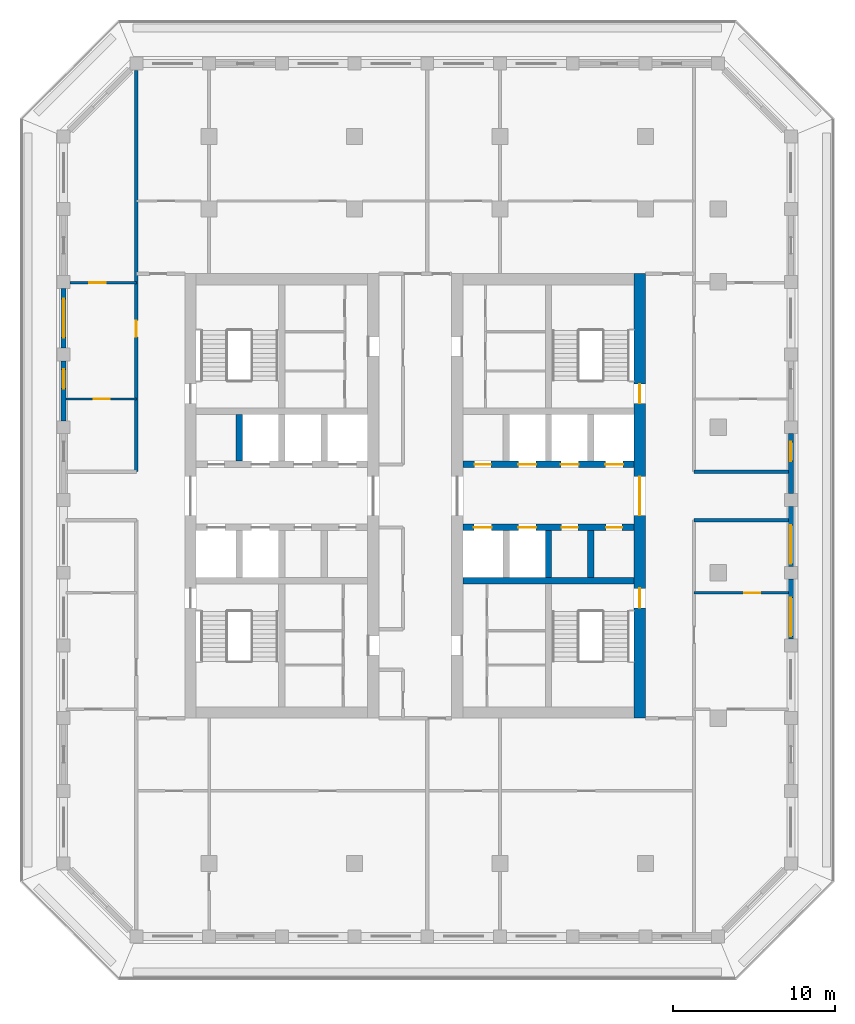
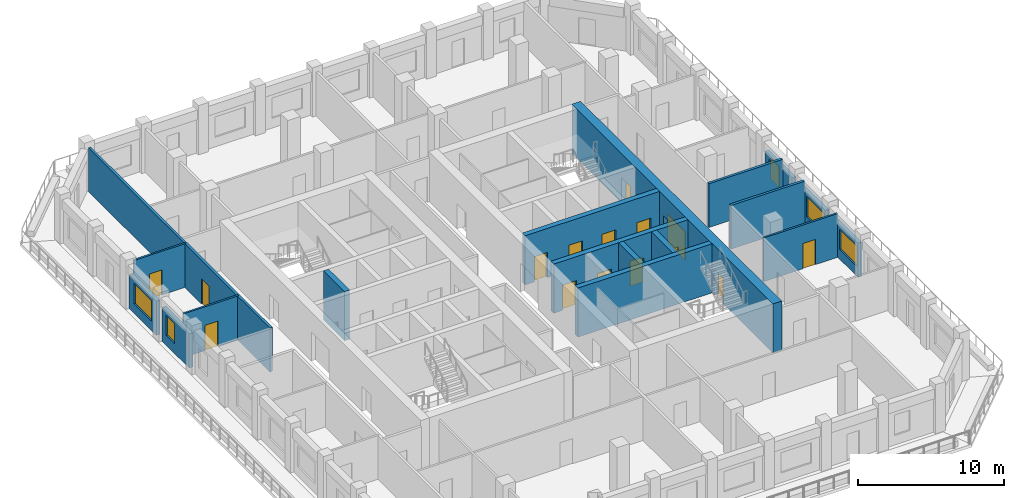
# One storey, part 5 of 17: 18 walls, 15 doors, 5 windows, 20 openings.
"""IFC4 building model written with IfcOpenShell, lengths in metres."""

from ifc_helpers import new_model, si_unit, direction, frame, frame_2d, origin, place, context, subcontext, project, spatial, rectangle, extrude, material, layer, layer_set, type_object, element, fill, save


model = new_model("IFC4")

# Units and contexts
model_context = context("Model", 3, precision=1e-05, world=origin(), true_north=direction((0.0, 1.0)))
body_context = subcontext(model_context, "Body", "Model", "MODEL_VIEW")
ifc_project = project(units=[si_unit("LENGTHUNIT", "METRE"), si_unit("AREAUNIT", "SQUARE_METRE"), si_unit("VOLUMEUNIT", "CUBIC_METRE"), si_unit("PLANEANGLEUNIT", "RADIAN"), si_unit("MASSUNIT", "GRAM", prefix="KILO")], contexts=[model_context])

# Site, building, storey
site_placement = place(None, origin())
site = spatial("IfcSite", under=ifc_project, at=site_placement, CompositionType="ELEMENT")
building_placement = place(site_placement, origin())
building = spatial("IfcBuilding", under=site, at=building_placement, Name="Corbel Stack Research Tower", CompositionType="ELEMENT")
storey_placement = place(building_placement, frame((0.0, 0.0, 252.10009765625)))
storey = spatial("IfcBuildingStorey", under=building, at=storey_placement, Name="L57", CompositionType="ELEMENT", Elevation=252.10009765625)

# Walls
ifc_material_1 = material(Name="Concrete C60/75", Category="concrete")
ifc_layer_1 = layer(ifc_material_1, 0.39990234375)
ifc_layer_set_1 = layer_set([ifc_layer_1], Name="Concrete C60/75")
wall_type_1 = type_object("IfcWallType", Name="CW-400-60", PredefinedType="SHEAR", material=ifc_layer_set_1)
wall_1_placement = place(storey_placement, frame((-7.125, 6.89990234375, 0.0), z_axis=(0.0, 0.0, 1.0), x_axis=(0.0, 1.0, 0.0)))
element("IfcWall", 1, at=wall_1_placement, inside=storey, type_object=wall_type_1, Name="West core wall, north shaft 1 L57", PredefinedType="SHEAR", context=body_context, shape_type="SweptSolid", body=[
    extrude(rectangle(XDim=2.900146484375, YDim=0.39990234375, at=frame_2d((1.4501953125, 0.0))), origin(), (0.0, 0.0, 1.0), 4.099853515625),
])
wall_2_placement = place(storey_placement, frame((6.699951171875, -0.5, 0.0), z_axis=(0.0, 0.0, 1.0), x_axis=(1.0, 0.0, 0.0)))
element("IfcWall", 2, at=wall_2_placement, inside=storey, type_object=wall_type_1, Name="East core wall, south row back L57", PredefinedType="SHEAR", context=body_context, shape_type="SweptSolid", body=[
    extrude(rectangle(XDim=10.60009765625, YDim=0.39990234375, at=frame_2d((5.300048828125, 0.0))), origin(), (0.0, 0.0, 1.0), 4.099853515625),
])

# Wall, openings, doors
wall_3_placement = place(storey_placement, frame((6.699951171875, 2.800048828125, 0.0), z_axis=(0.0, 0.0, 1.0), x_axis=(1.0, 0.0, 0.0)))
wall_3 = element("IfcWall", 3, at=wall_3_placement, inside=storey, type_object=wall_type_1, Name="East core wall, lobby south L57", PredefinedType="SHEAR", context=body_context, shape_type="SweptSolid", body=[
    extrude(rectangle(XDim=10.60009765625, YDim=0.39990234375, at=frame_2d((5.300048828125, 0.0))), origin(), (0.0, 0.0, 1.0), 4.099853515625),
])
opening_1_placement = place(wall_3_placement, frame((0.6875, 0.0, 0.0)))
opening_1 = element("IfcOpeningElement", 4, at=opening_1_placement, cuts=wall_3, Name="Opening LD-FS2", PredefinedType="OPENING", context=body_context, shape_type="SweptSolid", body=[
    extrude(rectangle(XDim=1.10009765625, YDim=2.10009765625, at=frame_2d((0.550048828125, 1.050048828125))), frame((0.0, 0.2099609375, 0.0), z_axis=(0.0, -1.0, 0.0), x_axis=(1.0, 0.0, 0.0)), (0.0, 0.0, 1.0), 0.419921875),
])
opening_2_placement = place(wall_3_placement, frame((3.4375, 0.0, 0.0)))
opening_2 = element("IfcOpeningElement", 5, at=opening_2_placement, cuts=wall_3, Name="Opening LD-GL2", PredefinedType="OPENING", context=body_context, shape_type="SweptSolid", body=[
    extrude(rectangle(XDim=1.10009765625, YDim=2.10009765625, at=frame_2d((0.550048828125, 1.050048828125))), frame((0.0, 0.2099609375, 0.0), z_axis=(0.0, -1.0, 0.0), x_axis=(1.0, 0.0, 0.0)), (0.0, 0.0, 1.0), 0.419921875),
])
opening_3_placement = place(wall_3_placement, frame((6.112548828125, 0.0, 0.0)))
opening_3 = element("IfcOpeningElement", 6, at=opening_3_placement, cuts=wall_3, Name="Opening CR-E12-S3", PredefinedType="OPENING", context=body_context, shape_type="SweptSolid", body=[
    extrude(rectangle(XDim=1.0, YDim=2.10009765625, at=frame_2d((0.5, 1.050048828125))), frame((0.0, 0.2099609375, 0.0), z_axis=(0.0, -1.0, 0.0), x_axis=(1.0, 0.0, 0.0)), (0.0, 0.0, 1.0), 0.419921875),
])
opening_4_placement = place(wall_3_placement, frame((8.862548828125, 0.0, 0.0)))
opening_4 = element("IfcOpeningElement", 7, at=opening_4_placement, cuts=wall_3, Name="Opening CR-E12-S4", PredefinedType="OPENING", context=body_context, shape_type="SweptSolid", body=[
    extrude(rectangle(XDim=1.0, YDim=2.10009765625, at=frame_2d((0.5, 1.050048828125))), frame((0.0, 0.2099609375, 0.0), z_axis=(0.0, -1.0, 0.0), x_axis=(1.0, 0.0, 0.0)), (0.0, 0.0, 1.0), 0.419921875),
])
ifc_material_2 = material(Name="Stainless steel landing door", Category="steel")
door_type_1 = type_object("IfcDoorType", Name="Lift landing door 1100 x 2100", OperationType="DOUBLE_DOOR_SLIDING", PredefinedType="DOOR", material=ifc_material_2)
door_1_placement = place(opening_1_placement, origin())
door_1 = element("IfcDoor", 8, at=door_1_placement, inside=storey, type_object=door_type_1, Name="Landing door FS2", OperationType="DOUBLE_DOOR_SLIDING", OverallHeight=2.10009765625, OverallWidth=1.10009765625, PredefinedType="DOOR", context=body_context, shape_type="SweptSolid", body=[
    extrude(rectangle(XDim=1.10009765625, YDim=2.10009765625, at=frame_2d((0.550048828125, 1.050048828125))), frame((0.0, 0.02490234375, 0.0), z_axis=(0.0, -1.0, 0.0), x_axis=(1.0, 0.0, 0.0)), (0.0, 0.0, 1.0), 0.050048828125),
])
fill(opening_1, door_1)
door_2_placement = place(opening_2_placement, origin())
door_2 = element("IfcDoor", 9, at=door_2_placement, inside=storey, type_object=door_type_1, Name="Landing door GL2", OperationType="DOUBLE_DOOR_SLIDING", OverallHeight=2.10009765625, OverallWidth=1.10009765625, PredefinedType="DOOR", context=body_context, shape_type="SweptSolid", body=[
    extrude(rectangle(XDim=1.10009765625, YDim=2.10009765625, at=frame_2d((0.550048828125, 1.050048828125))), frame((0.0, 0.02490234375, 0.0), z_axis=(0.0, -1.0, 0.0), x_axis=(1.0, 0.0, 0.0)), (0.0, 0.0, 1.0), 0.050048828125),
])
fill(opening_2, door_2)
ifc_material_3 = material(Name="Painted steel door", Category="steel")
door_type_2 = type_object("IfcDoorType", Name="Service door 1000 x 2100 FD60 left hand", OperationType="SINGLE_SWING_LEFT", PredefinedType="DOOR", material=ifc_material_3)
door_3_placement = place(opening_3_placement, origin())
door_3 = element("IfcDoor", 10, at=door_3_placement, inside=storey, type_object=door_type_2, Name="Vending bay door E core", OperationType="SINGLE_SWING_LEFT", OverallHeight=2.10009765625, OverallWidth=1.0, PredefinedType="DOOR", context=body_context, shape_type="SweptSolid", body=[
    extrude(rectangle(XDim=1.0, YDim=2.10009765625, at=frame_2d((0.5, 1.050048828125))), frame((0.0, 0.02490234375, 0.0), z_axis=(0.0, -1.0, 0.0), x_axis=(1.0, 0.0, 0.0)), (0.0, 0.0, 1.0), 0.050048828125),
])
fill(opening_3, door_3)
ifc_material_4 = material(Name="Painted steel door", Category="steel")
door_type_3 = type_object("IfcDoorType", Name="Service door 1000 x 2100 FD60 right hand", OperationType="SINGLE_SWING_RIGHT", PredefinedType="DOOR", material=ifc_material_4)
door_4_placement = place(opening_4_placement, origin())
door_4 = element("IfcDoor", 11, at=door_4_placement, inside=storey, type_object=door_type_3, Name="Mechanical room door E core", OperationType="SINGLE_SWING_RIGHT", OverallHeight=2.10009765625, OverallWidth=1.0, PredefinedType="DOOR", context=body_context, shape_type="SweptSolid", body=[
    extrude(rectangle(XDim=1.0, YDim=2.10009765625, at=frame_2d((0.5, 1.050048828125))), frame((0.0, 0.02490234375, 0.0), z_axis=(0.0, -1.0, 0.0), x_axis=(1.0, 0.0, 0.0)), (0.0, 0.0, 1.0), 0.050048828125),
])
fill(opening_4, door_4)

wall_4_placement = place(storey_placement, frame((6.699951171875, 6.699951171875, 0.0), z_axis=(0.0, 0.0, 1.0), x_axis=(1.0, 0.0, 0.0)))
wall_4 = element("IfcWall", 12, at=wall_4_placement, inside=storey, type_object=wall_type_1, Name="East core wall, lobby north L57", PredefinedType="SHEAR", context=body_context, shape_type="SweptSolid", body=[
    extrude(rectangle(XDim=10.60009765625, YDim=0.39990234375, at=frame_2d((5.300048828125, 0.0))), origin(), (0.0, 0.0, 1.0), 4.099853515625),
])
opening_5_placement = place(wall_4_placement, frame((3.4375, 0.0, 0.0)))
opening_5 = element("IfcOpeningElement", 13, at=opening_5_placement, cuts=wall_4, Name="Opening LD-HR4", PredefinedType="OPENING", context=body_context, shape_type="SweptSolid", body=[
    extrude(rectangle(XDim=1.10009765625, YDim=2.10009765625, at=frame_2d((0.550048828125, 1.050048828125))), frame((0.0, 0.2099609375, 0.0), z_axis=(0.0, -1.0, 0.0), x_axis=(1.0, 0.0, 0.0)), (0.0, 0.0, 1.0), 0.419921875),
])
opening_6_placement = place(wall_4_placement, frame((6.0625, 0.0, 0.0)))
opening_6 = element("IfcOpeningElement", 14, at=opening_6_placement, cuts=wall_4, Name="Opening LD-HR5", PredefinedType="OPENING", context=body_context, shape_type="SweptSolid", body=[
    extrude(rectangle(XDim=1.10009765625, YDim=2.10009765625, at=frame_2d((0.550048828125, 1.050048828125))), frame((0.0, 0.2099609375, 0.0), z_axis=(0.0, -1.0, 0.0), x_axis=(1.0, 0.0, 0.0)), (0.0, 0.0, 1.0), 0.419921875),
])
opening_7_placement = place(wall_4_placement, frame((8.8125, 0.0, 0.0)))
opening_7 = element("IfcOpeningElement", 15, at=opening_7_placement, cuts=wall_4, Name="Opening LD-HR6", PredefinedType="OPENING", context=body_context, shape_type="SweptSolid", body=[
    extrude(rectangle(XDim=1.10009765625, YDim=2.10009765625, at=frame_2d((0.550048828125, 1.050048828125))), frame((0.0, 0.2099609375, 0.0), z_axis=(0.0, -1.0, 0.0), x_axis=(1.0, 0.0, 0.0)), (0.0, 0.0, 1.0), 0.419921875),
])
opening_8_placement = place(wall_4_placement, frame((0.737548828125, 0.0, 0.0)))
opening_8 = element("IfcOpeningElement", 16, at=opening_8_placement, cuts=wall_4, Name="Opening CR-E12-N1", PredefinedType="OPENING", context=body_context, shape_type="SweptSolid", body=[
    extrude(rectangle(XDim=1.0, YDim=2.10009765625, at=frame_2d((0.5, 1.050048828125))), frame((0.0, 0.2099609375, 0.0), z_axis=(0.0, -1.0, 0.0), x_axis=(1.0, 0.0, 0.0)), (0.0, 0.0, 1.0), 0.419921875),
])
door_5_placement = place(opening_5_placement, origin())
door_5 = element("IfcDoor", 17, at=door_5_placement, inside=storey, type_object=door_type_1, Name="Landing door HR4", OperationType="DOUBLE_DOOR_SLIDING", OverallHeight=2.10009765625, OverallWidth=1.10009765625, PredefinedType="DOOR", context=body_context, shape_type="SweptSolid", body=[
    extrude(rectangle(XDim=1.10009765625, YDim=2.10009765625, at=frame_2d((0.550048828125, 1.050048828125))), frame((0.0, 0.02490234375, 0.0), z_axis=(0.0, -1.0, 0.0), x_axis=(1.0, 0.0, 0.0)), (0.0, 0.0, 1.0), 0.050048828125),
])
fill(opening_5, door_5)
door_6_placement = place(opening_6_placement, origin())
door_6 = element("IfcDoor", 18, at=door_6_placement, inside=storey, type_object=door_type_1, Name="Landing door HR5", OperationType="DOUBLE_DOOR_SLIDING", OverallHeight=2.10009765625, OverallWidth=1.10009765625, PredefinedType="DOOR", context=body_context, shape_type="SweptSolid", body=[
    extrude(rectangle(XDim=1.10009765625, YDim=2.10009765625, at=frame_2d((0.550048828125, 1.050048828125))), frame((0.0, 0.02490234375, 0.0), z_axis=(0.0, -1.0, 0.0), x_axis=(1.0, 0.0, 0.0)), (0.0, 0.0, 1.0), 0.050048828125),
])
fill(opening_6, door_6)
door_7_placement = place(opening_7_placement, origin())
door_7 = element("IfcDoor", 19, at=door_7_placement, inside=storey, type_object=door_type_1, Name="Landing door HR6", OperationType="DOUBLE_DOOR_SLIDING", OverallHeight=2.10009765625, OverallWidth=1.10009765625, PredefinedType="DOOR", context=body_context, shape_type="SweptSolid", body=[
    extrude(rectangle(XDim=1.10009765625, YDim=2.10009765625, at=frame_2d((0.550048828125, 1.050048828125))), frame((0.0, 0.02490234375, 0.0), z_axis=(0.0, -1.0, 0.0), x_axis=(1.0, 0.0, 0.0)), (0.0, 0.0, 1.0), 0.050048828125),
])
fill(opening_7, door_7)
door_8_placement = place(opening_8_placement, origin())
door_8 = element("IfcDoor", 20, at=door_8_placement, inside=storey, type_object=door_type_2, Name="Telecom room door E core", OperationType="SINGLE_SWING_LEFT", OverallHeight=2.10009765625, OverallWidth=1.0, PredefinedType="DOOR", context=body_context, shape_type="SweptSolid", body=[
    extrude(rectangle(XDim=1.0, YDim=2.10009765625, at=frame_2d((0.5, 1.050048828125))), frame((0.0, 0.02490234375, 0.0), z_axis=(0.0, -1.0, 0.0), x_axis=(1.0, 0.0, 0.0)), (0.0, 0.0, 1.0), 0.050048828125),
])
fill(opening_8, door_8)

# Walls
for number, where, z_axis, x_axis, name in (
    (21, (12.0, -0.300048828125, 0.0), (0.0, 0.0, 1.0), (0.0, 1.0, 0.0), "East core wall, south shaft 2 L57"),
    (22, (14.625, -0.300048828125, 0.0), (0.0, 0.0, 1.0), (0.0, 1.0, 0.0), "East core wall, south shaft 3 L57"),
):
    element("IfcWall", number, at=place(storey_placement, frame(where, z_axis=z_axis, x_axis=x_axis)), inside=storey, type_object=wall_type_1, Name=name, PredefinedType="SHEAR", context=body_context, shape_type="SweptSolid", body=[
        extrude(rectangle(XDim=2.900146484375, YDim=0.39990234375, at=frame_2d((1.4501953125, 0.0))), origin(), (0.0, 0.0, 1.0), 4.099853515625),
    ])

# Wall, openings, doors
ifc_material_5 = material(Name="Concrete C60/75", Category="concrete")
ifc_layer_2 = layer(ifc_material_5, 0.699951171875)
ifc_layer_set_2 = layer_set([ifc_layer_2], Name="Concrete C60/75")
wall_type_2 = type_object("IfcWallType", Name="CW-700-60", PredefinedType="SHEAR", material=ifc_layer_set_2)
wall_5_placement = place(storey_placement, frame((17.64990234375, -9.0, 0.0), z_axis=(0.0, 0.0, 1.0), x_axis=(0.0, 1.0, 0.0)))
wall_5 = element("IfcWall", 23, at=wall_5_placement, inside=storey, type_object=wall_type_2, Name="East core wall, east face L57", PredefinedType="SHEAR", context=body_context, shape_type="SweptSolid", body=[
    extrude(rectangle(XDim=27.5, YDim=0.699951171875, at=frame_2d((13.75, 0.0))), origin(), (0.0, 0.0, 1.0), 4.099853515625),
])
opening_9_placement = place(wall_5_placement, frame((12.550048828125, 0.0, 0.0)))
opening_9 = element("IfcOpeningElement", 24, at=opening_9_placement, cuts=wall_5, Name="Opening CD-E-E", PredefinedType="OPENING", context=body_context, shape_type="SweptSolid", body=[
    extrude(rectangle(XDim=2.39990234375, YDim=2.39990234375, at=frame_2d((1.199951171875, 1.199951171875))), frame((0.0, 0.35986328125, 0.0), z_axis=(0.0, -1.0, 0.0), x_axis=(1.0, 0.0, 0.0)), (0.0, 0.0, 1.0), 0.719970703125),
])
opening_10_placement = place(wall_5_placement, frame((6.824951171875, 0.0, 0.0)))
opening_10 = element("IfcOpeningElement", 25, at=opening_10_placement, cuts=wall_5, Name="Opening SD-ST-E1", PredefinedType="OPENING", context=body_context, shape_type="SweptSolid", body=[
    extrude(rectangle(XDim=1.199951171875, YDim=2.10009765625, at=frame_2d((0.60009765625, 1.050048828125))), frame((0.0, 0.35986328125, 0.0), z_axis=(0.0, -1.0, 0.0), x_axis=(1.0, 0.0, 0.0)), (0.0, 0.0, 1.0), 0.719970703125),
])
opening_11_placement = place(wall_5_placement, frame((19.47509765625, 0.0, 0.0)))
opening_11 = element("IfcOpeningElement", 26, at=opening_11_placement, cuts=wall_5, Name="Opening SD-ST-E2", PredefinedType="OPENING", context=body_context, shape_type="SweptSolid", body=[
    extrude(rectangle(XDim=1.199951171875, YDim=2.10009765625, at=frame_2d((0.60009765625, 1.050048828125))), frame((0.0, 0.35986328125, 0.0), z_axis=(0.0, -1.0, 0.0), x_axis=(1.0, 0.0, 0.0)), (0.0, 0.0, 1.0), 0.719970703125),
])
ifc_material_6 = material(Name="Painted steel fire door", Category="steel")
door_type_4 = type_object("IfcDoorType", Name="Lobby door pair 2400 x 2400 FD30S", OperationType="DOUBLE_DOOR_DOUBLE_SWING", PredefinedType="DOOR", material=ifc_material_6)
door_9_placement = place(opening_9_placement, origin())
door_9 = element("IfcDoor", 27, at=door_9_placement, inside=storey, type_object=door_type_4, Name="Lift lobby door E core E", OperationType="DOUBLE_DOOR_DOUBLE_SWING", OverallHeight=2.39990234375, OverallWidth=2.39990234375, PredefinedType="DOOR", context=body_context, shape_type="SweptSolid", body=[
    extrude(rectangle(XDim=2.39990234375, YDim=2.39990234375, at=frame_2d((1.199951171875, 1.199951171875))), frame((0.0, 0.02490234375, 0.0), z_axis=(0.0, -1.0, 0.0), x_axis=(1.0, 0.0, 0.0)), (0.0, 0.0, 1.0), 0.050048828125),
])
fill(opening_9, door_9)
ifc_material_7 = material(Name="Painted steel fire door", Category="steel")
door_type_5 = type_object("IfcDoorType", Name="Stair door 1200 x 2100 FD90 right hand", OperationType="SINGLE_SWING_RIGHT", PredefinedType="DOOR", material=ifc_material_7)
door_10_placement = place(opening_10_placement, frame((1.199951171875, 0.0, 0.0), z_axis=(0.0, 0.0, 1.0), x_axis=(-1.0, 0.0, 0.0)))
door_10 = element("IfcDoor", 28, at=door_10_placement, inside=storey, type_object=door_type_5, Name="Stair door ST-E1", OperationType="SINGLE_SWING_LEFT", OverallHeight=2.10009765625, OverallWidth=1.199951171875, PredefinedType="DOOR", context=body_context, shape_type="SweptSolid", body=[
    extrude(rectangle(XDim=1.199951171875, YDim=2.10009765625, at=frame_2d((0.60009765625, 1.050048828125))), frame((0.0, 0.02490234375, 0.0), z_axis=(0.0, -1.0, 0.0), x_axis=(1.0, 0.0, 0.0)), (0.0, 0.0, 1.0), 0.050048828125),
])
fill(opening_10, door_10)
door_11_placement = place(opening_11_placement, frame((1.199951171875, 0.0, 0.0), z_axis=(0.0, 0.0, 1.0), x_axis=(-1.0, 0.0, 0.0)))
door_11 = element("IfcDoor", 29, at=door_11_placement, inside=storey, type_object=door_type_5, Name="Stair door ST-E2", OperationType="SINGLE_SWING_LEFT", OverallHeight=2.10009765625, OverallWidth=1.199951171875, PredefinedType="DOOR", context=body_context, shape_type="SweptSolid", body=[
    extrude(rectangle(XDim=1.199951171875, YDim=2.10009765625, at=frame_2d((0.60009765625, 1.050048828125))), frame((0.0, 0.02490234375, 0.0), z_axis=(0.0, -1.0, 0.0), x_axis=(1.0, 0.0, 0.0)), (0.0, 0.0, 1.0), 0.050048828125),
])
fill(opening_11, door_11)

# Wall, opening, door
ifc_material_8 = material(Name="Fire-rated gypsum board partition on steel studs", Category="steel")
ifc_layer_3 = layer(ifc_material_8, 0.199951171875)
ifc_layer_set_3 = layer_set([ifc_layer_3], Name="Fire-rated gypsum board partition on steel studs")
wall_type_3 = type_object("IfcWallType", Name="Fire-rated partition 200 EI 60", PredefinedType="PARTITIONING", material=ifc_layer_set_3)
wall_6_placement = place(storey_placement, frame((-13.5, 6.25, 0.0), z_axis=(0.0, 0.0, 1.0), x_axis=(0.0, 1.0, 0.0)))
wall_6 = element("IfcWall", 30, at=wall_6_placement, inside=storey, type_object=wall_type_3, Name="Partition L57-002", PredefinedType="PARTITIONING", context=body_context, shape_type="SweptSolid", body=[
    extrude(rectangle(XDim=24.8271484375, YDim=0.199951171875, at=frame_2d((12.41357421875, 0.0))), origin(), (0.0, 0.0, 1.0), 3.64990234375),
])
opening_12_placement = place(wall_6_placement, frame((8.35009765625, 0.0, 0.0)))
opening_12 = element("IfcOpeningElement", 31, at=opening_12_placement, cuts=wall_6, Name="Opening B7V1-006", PredefinedType="OPENING", context=body_context, shape_type="SweptSolid", body=[
    extrude(rectangle(XDim=1.0, YDim=2.10009765625, at=frame_2d((0.5, 1.050048828125))), frame((0.0, 0.10986328125, 0.0), z_axis=(0.0, -1.0, 0.0), x_axis=(1.0, 0.0, 0.0)), (0.0, 0.0, 1.0), 0.219970703125),
])
ifc_material_9 = material(Name="Painted steel fire door", Category="steel")
door_type_6 = type_object("IfcDoorType", Name="Fire door FD30S 1000 x 2100", OperationType="NOTDEFINED", PredefinedType="DOOR", material=ifc_material_9)
door_12_placement = place(opening_12_placement, origin())
door_12 = element("IfcDoor", 32, at=door_12_placement, inside=storey, type_object=door_type_6, Name="Door B7V1-006", OperationType="SINGLE_SWING_LEFT", OverallHeight=2.10009765625, OverallWidth=1.0, PredefinedType="DOOR", context=body_context, shape_type="SweptSolid", body=[
    extrude(rectangle(XDim=1.0, YDim=2.10009765625, at=frame_2d((0.5, 1.050048828125))), frame((0.0, 0.02490234375, 0.0), z_axis=(0.0, -1.0, 0.0), x_axis=(1.0, 0.0, 0.0)), (0.0, 0.0, 1.0), 0.050048828125),
])
fill(opening_12, door_12)

# Walls
for number, where, z_axis, x_axis, name in (
    (33, (21.0, 3.25, 0.0), (0.0, 0.0, 1.0), (1.0, 0.0, 0.0), "Partition L57-033"),
    (34, (21.0, 6.25, 0.0), (0.0, 0.0, 1.0), (1.0, 0.0, 0.0), "Partition L57-035"),
):
    element("IfcWall", number, at=place(storey_placement, frame(where, z_axis=z_axis, x_axis=x_axis)), inside=storey, type_object=wall_type_3, Name=name, PredefinedType="PARTITIONING", context=body_context, shape_type="SweptSolid", body=[
        extrude(rectangle(XDim=5.85009765625, YDim=0.199951171875, at=frame_2d((2.925048828125, 0.0))), origin(), (0.0, 0.0, 1.0), 3.64990234375),
    ])

# Wall, opening, door
ifc_material_10 = material(Name="Gypsum board partition on steel studs", Category="steel")
ifc_layer_4 = layer(ifc_material_10, 0.14990234375)
ifc_layer_set_4 = layer_set([ifc_layer_4], Name="Gypsum board partition on steel studs")
wall_type_4 = type_object("IfcWallType", Name="Partition 150", PredefinedType="PARTITIONING", material=ifc_layer_set_4)
wall_7_placement = place(storey_placement, frame((21.0, -1.25, 0.0), z_axis=(0.0, 0.0, 1.0), x_axis=(1.0, 0.0, 0.0)))
wall_7 = element("IfcWall", 35, at=wall_7_placement, inside=storey, type_object=wall_type_4, Name="Partition L57-030", PredefinedType="PARTITIONING", context=body_context, shape_type="SweptSolid", body=[
    extrude(rectangle(XDim=5.85009765625, YDim=0.14990234375, at=frame_2d((2.925048828125, 0.0))), origin(), (0.0, 0.0, 1.0), 3.64990234375),
])
opening_13_placement = place(wall_7_placement, frame((3.10009765625, 0.0, 0.0)))
opening_13 = element("IfcOpeningElement", 36, at=opening_13_placement, cuts=wall_7, Name="Opening B7V1-014", PredefinedType="OPENING", context=body_context, shape_type="SweptSolid", body=[
    extrude(rectangle(XDim=1.0, YDim=2.10009765625, at=frame_2d((0.5, 1.050048828125))), frame((0.0, 0.0849609375, 0.0), z_axis=(0.0, -1.0, 0.0), x_axis=(1.0, 0.0, 0.0)), (0.0, 0.0, 1.0), 0.169921875),
])
ifc_material_11 = material(Name="Painted timber door", Category="wood")
door_type_7 = type_object("IfcDoorType", Name="Single door 1000 x 2100", OperationType="NOTDEFINED", PredefinedType="DOOR", material=ifc_material_11)
door_13_placement = place(opening_13_placement, origin())
door_13 = element("IfcDoor", 37, at=door_13_placement, inside=storey, type_object=door_type_7, Name="Door B7V1-014", OperationType="SINGLE_SWING_RIGHT", OverallHeight=2.10009765625, OverallWidth=1.0, PredefinedType="DOOR", context=body_context, shape_type="SweptSolid", body=[
    extrude(rectangle(XDim=1.0, YDim=2.10009765625, at=frame_2d((0.5, 1.050048828125))), frame((0.0, 0.02490234375, 0.0), z_axis=(0.0, -1.0, 0.0), x_axis=(1.0, 0.0, 0.0)), (0.0, 0.0, 1.0), 0.050048828125),
])
fill(opening_13, door_13)

wall_8_placement = place(storey_placement, frame((-13.5, 10.75, 0.0), z_axis=(0.0, 0.0, 1.0), x_axis=(-1.0, 0.0, 0.0)))
wall_8 = element("IfcWall", 38, at=wall_8_placement, inside=storey, type_object=wall_type_4, Name="Partition L57-037", PredefinedType="PARTITIONING", context=body_context, shape_type="SweptSolid", body=[
    extrude(rectangle(XDim=4.35009765625, YDim=0.14990234375, at=frame_2d((2.175048828125, 0.0))), origin(), (0.0, 0.0, 1.0), 3.64990234375),
])
opening_14_placement = place(wall_8_placement, frame((1.64990234375, 0.0, 0.0)))
opening_14 = element("IfcOpeningElement", 39, at=opening_14_placement, cuts=wall_8, Name="Opening B7V1-018", PredefinedType="OPENING", context=body_context, shape_type="SweptSolid", body=[
    extrude(rectangle(XDim=1.0, YDim=2.10009765625, at=frame_2d((0.5, 1.050048828125))), frame((0.0, 0.0849609375, 0.0), z_axis=(0.0, -1.0, 0.0), x_axis=(1.0, 0.0, 0.0)), (0.0, 0.0, 1.0), 0.169921875),
])
door_14_placement = place(opening_14_placement, origin())
door_14 = element("IfcDoor", 40, at=door_14_placement, inside=storey, type_object=door_type_7, Name="Door B7V1-018", OperationType="SINGLE_SWING_RIGHT", OverallHeight=2.10009765625, OverallWidth=1.0, PredefinedType="DOOR", context=body_context, shape_type="SweptSolid", body=[
    extrude(rectangle(XDim=1.0, YDim=2.10009765625, at=frame_2d((0.5, 1.050048828125))), frame((0.0, 0.02490234375, 0.0), z_axis=(0.0, -1.0, 0.0), x_axis=(1.0, 0.0, 0.0)), (0.0, 0.0, 1.0), 0.050048828125),
])
fill(opening_14, door_14)

wall_9_placement = place(storey_placement, frame((-17.60009765625, 17.949951171875, 0.0), z_axis=(0.0, 0.0, 1.0), x_axis=(1.0, 0.0, 0.0)))
wall_9 = element("IfcWall", 41, at=wall_9_placement, inside=storey, type_object=wall_type_4, Name="Partition L57-039", PredefinedType="PARTITIONING", context=body_context, shape_type="SweptSolid", body=[
    extrude(rectangle(XDim=4.10009765625, YDim=0.14990234375, at=frame_2d((2.050048828125, 0.0))), origin(), (0.0, 0.0, 1.0), 3.64990234375),
])
opening_15_placement = place(wall_9_placement, frame((1.199951171875, 0.0, 0.0)))
opening_15 = element("IfcOpeningElement", 42, at=opening_15_placement, cuts=wall_9, Name="Opening B7V1-020", PredefinedType="OPENING", context=body_context, shape_type="SweptSolid", body=[
    extrude(rectangle(XDim=1.0, YDim=2.10009765625, at=frame_2d((0.5, 1.050048828125))), frame((0.0, 0.0849609375, 0.0), z_axis=(0.0, -1.0, 0.0), x_axis=(1.0, 0.0, 0.0)), (0.0, 0.0, 1.0), 0.169921875),
])
door_15_placement = place(opening_15_placement, origin())
door_15 = element("IfcDoor", 43, at=door_15_placement, inside=storey, type_object=door_type_7, Name="Door B7V1-020", OperationType="SINGLE_SWING_LEFT", OverallHeight=2.10009765625, OverallWidth=1.0, PredefinedType="DOOR", context=body_context, shape_type="SweptSolid", body=[
    extrude(rectangle(XDim=1.0, YDim=2.10009765625, at=frame_2d((0.5, 1.050048828125))), frame((0.0, 0.02490234375, 0.0), z_axis=(0.0, -1.0, 0.0), x_axis=(1.0, 0.0, 0.0)), (0.0, 0.0, 1.0), 0.050048828125),
])
fill(opening_15, door_15)

# Wall, opening, window
ifc_material_12 = material(Name="Concrete C45/55", Category="concrete")
ifc_layer_5 = layer(ifc_material_12, 0.300048828125)
ifc_layer_set_5 = layer_set([ifc_layer_5], Name="Concrete C45/55")
wall_type_5 = type_object("IfcWallType", Name="Terracotta-faced concrete wall 300", PredefinedType="SOLIDWALL", material=ifc_layer_set_5)
wall_10_placement = place(storey_placement, frame((27.0, -0.39990234375, 0.0), z_axis=(0.0, 0.0, 1.0), x_axis=(0.0, -1.0, 0.0)))
wall_10 = element("IfcWall", 44, at=wall_10_placement, inside=storey, type_object=wall_type_5, Name="Facade wall L57 E04", PredefinedType="SOLIDWALL", context=body_context, shape_type="SweptSolid", body=[
    extrude(rectangle(XDim=3.7001953125, YDim=0.300048828125, at=frame_2d((1.85009765625, 0.0))), origin(), (0.0, 0.0, 1.0), 2.849853515625),
])
opening_16_placement = place(wall_10_placement, frame((1.137451171875, 0.0, 0.800048828125)))
opening_16 = element("IfcOpeningElement", 45, at=opening_16_placement, cuts=wall_10, Name="Opening W1", PredefinedType="OPENING", context=body_context, shape_type="SweptSolid", body=[
    extrude(rectangle(XDim=2.39990234375, YDim=1.699951171875, at=frame_2d((1.199951171875, 0.85009765625))), frame((0.0, 0.159912109375, 0.0), z_axis=(0.0, -1.0, 0.0), x_axis=(1.0, 0.0, 0.0)), (0.0, 0.0, 1.0), 0.320068359375),
])
ifc_material_13 = material(Name="Aluminium frame, clear double glazing", Category="aluminium")
window_type_1 = type_object("IfcWindowType", Name="Window W1 2400 x 1700", PartitioningType="SINGLE_PANEL", PredefinedType="WINDOW", material=ifc_material_13)
window_1_placement = place(opening_16_placement, origin())
window_1 = element("IfcWindow", 46, at=window_1_placement, inside=storey, type_object=window_type_1, Name="Window W1 L57 E04", OverallHeight=1.699951171875, OverallWidth=2.39990234375, PartitioningType="SINGLE_PANEL", PredefinedType="WINDOW", context=body_context, shape_type="SweptSolid", body=[
    extrude(rectangle(XDim=2.39990234375, YDim=1.699951171875, at=frame_2d((1.199951171875, 0.85009765625))), frame((0.0, 0.030029296875, 0.0), z_axis=(0.0, -1.0, 0.0), x_axis=(1.0, 0.0, 0.0)), (0.0, 0.0, 1.0), 0.06005859375),
])
fill(opening_16, window_1)

wall_11_placement = place(storey_placement, frame((27.0, 4.10009765625, 0.0), z_axis=(0.0, 0.0, 1.0), x_axis=(0.0, -1.0, 0.0)))
wall_11 = element("IfcWall", 47, at=wall_11_placement, inside=storey, type_object=wall_type_5, Name="Facade wall L57 E05", PredefinedType="SOLIDWALL", context=body_context, shape_type="SweptSolid", body=[
    extrude(rectangle(XDim=3.7001953125, YDim=0.300048828125, at=frame_2d((1.85009765625, 0.0))), origin(), (0.0, 0.0, 1.0), 2.849853515625),
])
opening_17_placement = place(wall_11_placement, frame((1.14990234375, 0.0, 0.800048828125)))
opening_17 = element("IfcOpeningElement", 48, at=opening_17_placement, cuts=wall_11, Name="Opening W1", PredefinedType="OPENING", context=body_context, shape_type="SweptSolid", body=[
    extrude(rectangle(XDim=2.39990234375, YDim=1.699951171875, at=frame_2d((1.199951171875, 0.85009765625))), frame((0.0, 0.159912109375, 0.0), z_axis=(0.0, -1.0, 0.0), x_axis=(1.0, 0.0, 0.0)), (0.0, 0.0, 1.0), 0.320068359375),
])
window_2_placement = place(opening_17_placement, origin())
window_2 = element("IfcWindow", 49, at=window_2_placement, inside=storey, type_object=window_type_1, Name="Window W1 L57 E05", OverallHeight=1.699951171875, OverallWidth=2.39990234375, PartitioningType="SINGLE_PANEL", PredefinedType="WINDOW", context=body_context, shape_type="SweptSolid", body=[
    extrude(rectangle(XDim=2.39990234375, YDim=1.699951171875, at=frame_2d((1.199951171875, 0.85009765625))), frame((0.0, 0.030029296875, 0.0), z_axis=(0.0, -1.0, 0.0), x_axis=(1.0, 0.0, 0.0)), (0.0, 0.0, 1.0), 0.06005859375),
])
fill(opening_17, window_2)

wall_12_placement = place(storey_placement, frame((27.0, 8.60009765625, 0.0), z_axis=(0.0, 0.0, 1.0), x_axis=(0.0, -1.0, 0.0)))
wall_12 = element("IfcWall", 50, at=wall_12_placement, inside=storey, type_object=wall_type_5, Name="Facade wall L57 E06", PredefinedType="SOLIDWALL", context=body_context, shape_type="SweptSolid", body=[
    extrude(rectangle(XDim=3.7001953125, YDim=0.300048828125, at=frame_2d((1.85009765625, 0.0))), origin(), (0.0, 0.0, 1.0), 2.849853515625),
])
opening_18_placement = place(wall_12_placement, frame((0.5, 0.0, 0.800048828125)))
opening_18 = element("IfcOpeningElement", 51, at=opening_18_placement, cuts=wall_12, Name="Opening W2", PredefinedType="OPENING", context=body_context, shape_type="SweptSolid", body=[
    extrude(rectangle(XDim=1.199951171875, YDim=1.699951171875, at=frame_2d((0.60009765625, 0.85009765625))), frame((0.0, 0.159912109375, 0.0), z_axis=(0.0, -1.0, 0.0), x_axis=(1.0, 0.0, 0.0)), (0.0, 0.0, 1.0), 0.320068359375),
])
ifc_material_14 = material(Name="Aluminium frame, clear double glazing", Category="aluminium")
window_type_2 = type_object("IfcWindowType", Name="Window W2 1200 x 1700", PartitioningType="SINGLE_PANEL", PredefinedType="WINDOW", material=ifc_material_14)
window_3_placement = place(opening_18_placement, origin())
window_3 = element("IfcWindow", 52, at=window_3_placement, inside=storey, type_object=window_type_2, Name="Window W2 L57 E06", OverallHeight=1.699951171875, OverallWidth=1.199951171875, PartitioningType="SINGLE_PANEL", PredefinedType="WINDOW", context=body_context, shape_type="SweptSolid", body=[
    extrude(rectangle(XDim=1.199951171875, YDim=1.699951171875, at=frame_2d((0.60009765625, 0.85009765625))), frame((0.0, 0.030029296875, 0.0), z_axis=(0.0, -1.0, 0.0), x_axis=(1.0, 0.0, 0.0)), (0.0, 0.0, 1.0), 0.06005859375),
])
fill(opening_18, window_3)

wall_13_placement = place(storey_placement, frame((-18.0, 13.89990234375, 0.0), z_axis=(0.0, 0.0, 1.0), x_axis=(0.0, 1.0, 0.0)))
wall_13 = element("IfcWall", 53, at=wall_13_placement, inside=storey, type_object=wall_type_5, Name="Facade wall L57 W03", PredefinedType="SOLIDWALL", context=body_context, shape_type="SweptSolid", body=[
    extrude(rectangle(XDim=3.7001953125, YDim=0.300048828125, at=frame_2d((1.85009765625, 0.0))), origin(), (0.0, 0.0, 1.0), 2.849853515625),
])
opening_19_placement = place(wall_13_placement, frame((0.64990234375, 0.0, 0.800048828125)))
opening_19 = element("IfcOpeningElement", 54, at=opening_19_placement, cuts=wall_13, Name="Opening W1", PredefinedType="OPENING", context=body_context, shape_type="SweptSolid", body=[
    extrude(rectangle(XDim=2.39990234375, YDim=1.699951171875, at=frame_2d((1.199951171875, 0.85009765625))), frame((0.0, 0.159912109375, 0.0), z_axis=(0.0, -1.0, 0.0), x_axis=(1.0, 0.0, 0.0)), (0.0, 0.0, 1.0), 0.320068359375),
])
window_4_placement = place(opening_19_placement, origin())
window_4 = element("IfcWindow", 55, at=window_4_placement, inside=storey, type_object=window_type_1, Name="Window W1 L57 W03", OverallHeight=1.699951171875, OverallWidth=2.39990234375, PartitioningType="SINGLE_PANEL", PredefinedType="WINDOW", context=body_context, shape_type="SweptSolid", body=[
    extrude(rectangle(XDim=2.39990234375, YDim=1.699951171875, at=frame_2d((1.199951171875, 0.85009765625))), frame((0.0, 0.030029296875, 0.0), z_axis=(0.0, -1.0, 0.0), x_axis=(1.0, 0.0, 0.0)), (0.0, 0.0, 1.0), 0.06005859375),
])
fill(opening_19, window_4)

wall_14_placement = place(storey_placement, frame((-18.0, 9.39990234375, 0.0), z_axis=(0.0, 0.0, 1.0), x_axis=(0.0, 1.0, 0.0)))
wall_14 = element("IfcWall", 56, at=wall_14_placement, inside=storey, type_object=wall_type_5, Name="Facade wall L57 W04", PredefinedType="SOLIDWALL", context=body_context, shape_type="SweptSolid", body=[
    extrude(rectangle(XDim=3.7001953125, YDim=0.300048828125, at=frame_2d((1.85009765625, 0.0))), origin(), (0.0, 0.0, 1.0), 2.849853515625),
])
opening_20_placement = place(wall_14_placement, frame((1.987548828125, 0.0, 0.800048828125)))
opening_20 = element("IfcOpeningElement", 57, at=opening_20_placement, cuts=wall_14, Name="Opening W2", PredefinedType="OPENING", context=body_context, shape_type="SweptSolid", body=[
    extrude(rectangle(XDim=1.199951171875, YDim=1.699951171875, at=frame_2d((0.60009765625, 0.85009765625))), frame((0.0, 0.159912109375, 0.0), z_axis=(0.0, -1.0, 0.0), x_axis=(1.0, 0.0, 0.0)), (0.0, 0.0, 1.0), 0.320068359375),
])
window_5_placement = place(opening_20_placement, origin())
window_5 = element("IfcWindow", 58, at=window_5_placement, inside=storey, type_object=window_type_2, Name="Window W2 L57 W04", OverallHeight=1.699951171875, OverallWidth=1.199951171875, PartitioningType="SINGLE_PANEL", PredefinedType="WINDOW", context=body_context, shape_type="SweptSolid", body=[
    extrude(rectangle(XDim=1.199951171875, YDim=1.699951171875, at=frame_2d((0.60009765625, 0.85009765625))), frame((0.0, 0.030029296875, 0.0), z_axis=(0.0, -1.0, 0.0), x_axis=(1.0, 0.0, 0.0)), (0.0, 0.0, 1.0), 0.06005859375),
])
fill(opening_20, window_5)

save(model, "model.ifc")
